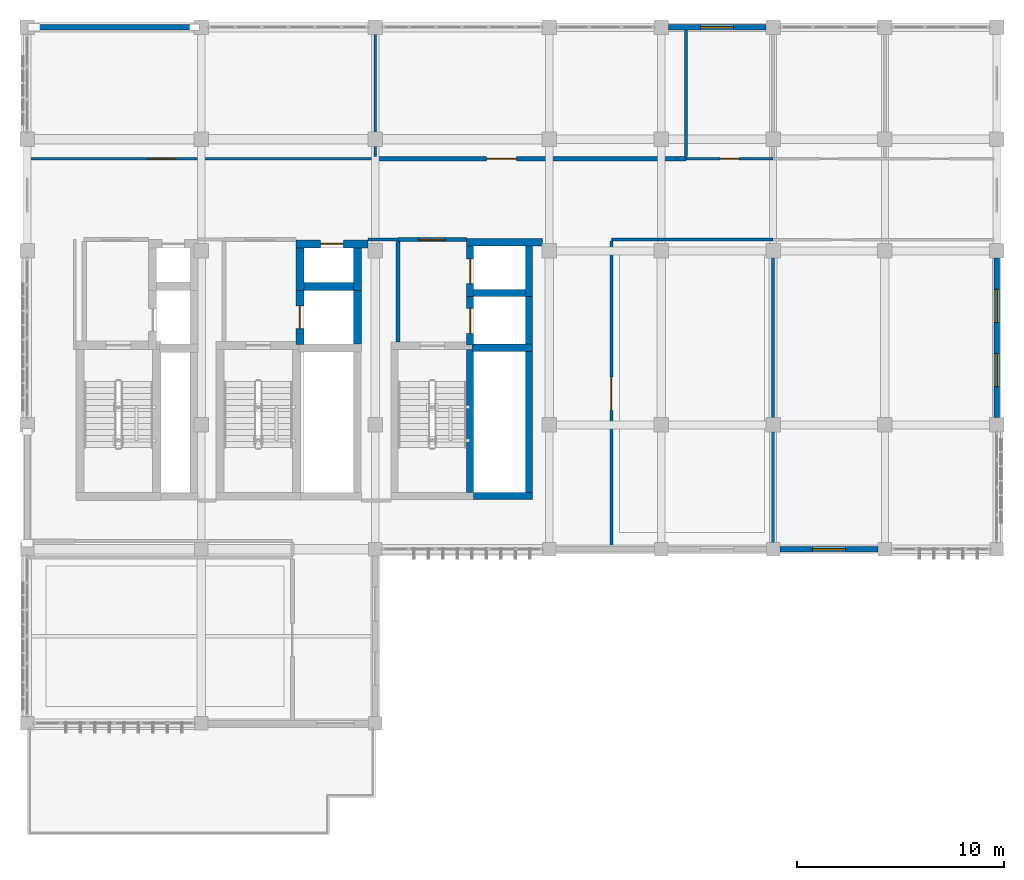
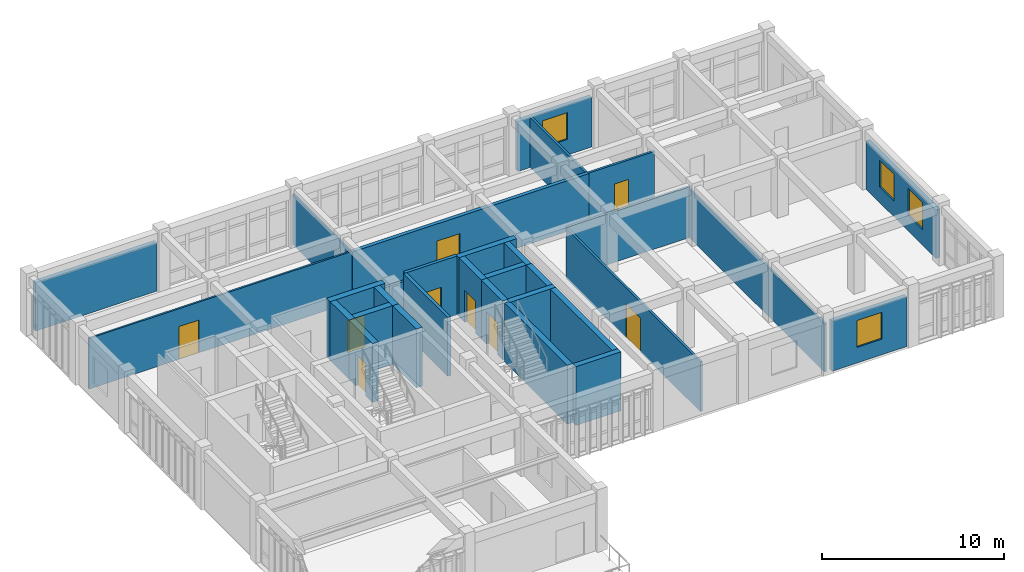
# One storey, part 20 of 23: 31 walls, 9 doors, 4 windows, 13 openings.
"""IFC4 building model written with IfcOpenShell, lengths in metres."""

from ifc_helpers import new_model, si_unit, direction, frame, frame_2d, origin, place, context, subcontext, project, spatial, rectangle, extrude, material, layer, layer_set, type_object, element, fill, save


model = new_model("IFC4")

# Units and contexts
model_context = context("Model", 3, precision=1e-05, world=origin(), true_north=direction((0.0, 1.0)))
body_context = subcontext(model_context, "Body", "Model", "MODEL_VIEW")
ifc_project = project(units=[si_unit("LENGTHUNIT", "METRE"), si_unit("AREAUNIT", "SQUARE_METRE"), si_unit("VOLUMEUNIT", "CUBIC_METRE"), si_unit("PLANEANGLEUNIT", "RADIAN"), si_unit("MASSUNIT", "GRAM", prefix="KILO")], contexts=[model_context])

# Site, building, storey
site_placement = place(None, origin())
site = spatial("IfcSite", under=ifc_project, at=site_placement, CompositionType="ELEMENT")
building_placement = place(site_placement, origin())
building = spatial("IfcBuilding", under=site, at=building_placement, Name="Krzemoval Escarpment Law Courts", CompositionType="ELEMENT")
storey_placement = place(building_placement, frame((0.0, 0.0, 25.199951171875)))
storey = spatial("IfcBuildingStorey", under=building, at=storey_placement, Name="L05", CompositionType="ELEMENT", Elevation=25.199951171875)

# Wall
ifc_material_1 = material(Name="Precast concrete C40/50", Category="concrete")
ifc_layer_1 = layer(ifc_material_1, 0.260009765625)
ifc_layer_set_1 = layer_set([ifc_layer_1], Name="Precast concrete C40/50")
wall_type_1 = type_object("IfcWallType", Name="WL-EXT-260", PredefinedType="SOLIDWALL", material=ifc_layer_set_1)
wall_1_placement = place(storey_placement, frame((126.35009765625, 118.800048828125, 0.0), z_axis=(0.0, 0.0, 1.0), x_axis=(1.0, 0.0, 0.0)))
element("IfcWall", 1, at=wall_1_placement, inside=storey, type_object=wall_type_1, Name="Exterior Wall EW-L05-0432", PredefinedType="SOLIDWALL", context=body_context, shape_type="SweptSolid", body=[
    extrude(rectangle(XDim=7.699951171875, YDim=0.260009765625, at=frame_2d((3.85009765625, 0.0))), origin(), (0.0, 0.0, 1.0), 3.25),
])

# Wall, opening, window
wall_2_placement = place(storey_placement, frame((156.949951171875, 118.800048828125, 0.0), z_axis=(0.0, 0.0, 1.0), x_axis=(1.0, 0.0, 0.0)))
wall_2 = element("IfcWall", 2, at=wall_2_placement, inside=storey, type_object=wall_type_1, Name="Exterior Wall EW-L05-0433", PredefinedType="SOLIDWALL", context=body_context, shape_type="SweptSolid", body=[
    extrude(rectangle(XDim=4.699951171875, YDim=0.260009765625, at=frame_2d((2.35009765625, 0.0))), origin(), (0.0, 0.0, 1.0), 3.35009765625),
])
opening_1_placement = place(wall_2_placement, frame((1.550048828125, 0.0, 1.050048828125)))
opening_1 = element("IfcOpeningElement", 3, at=opening_1_placement, cuts=wall_2, Name="Opening WN-L05-0517", PredefinedType="OPENING", context=body_context, shape_type="SweptSolid", body=[
    extrude(rectangle(XDim=1.60009765625, YDim=1.800048828125, at=frame_2d((0.800048828125, 0.89990234375))), frame((0.0, 0.145, 0.0), z_axis=(0.0, -1.0, 0.0), x_axis=(1.0, 0.0, 0.0)), (0.0, 0.0, 1.0), 0.29001),
])
ifc_material_2 = material(Name="Thermally Broken Aluminium Frame with Triple Low-E Acoustic Glass", Category="aluminium")
window_type = type_object("IfcWindowType", Name="WN-1600x1800", PartitioningType="SINGLE_PANEL", PredefinedType="WINDOW", material=ifc_material_2)
window_1_placement = place(opening_1_placement, origin())
window_1 = element("IfcWindow", 4, at=window_1_placement, inside=storey, type_object=window_type, Name="Facade Window WN-L05-0517", OverallHeight=1.800048828125, OverallWidth=1.60009765625, PartitioningType="SINGLE_PANEL", PredefinedType="WINDOW", context=body_context, shape_type="SweptSolid", body=[
    extrude(rectangle(XDim=1.60009765625, YDim=1.800048828125, at=frame_2d((0.800048828125, 0.89990234375))), frame((0.0, 0.030029296875, 0.0), z_axis=(0.0, -1.0, 0.0), x_axis=(1.0, 0.0, 0.0)), (0.0, 0.0, 1.0), 0.06005859375),
])
fill(opening_1, window_1)

# Wall, openings, windows
wall_3_placement = place(storey_placement, frame((172.800048828125, 107.64990234375, 0.0), z_axis=(0.0, 0.0, 1.0), x_axis=(0.0, -1.0, 0.0)))
wall_3 = element("IfcWall", 5, at=wall_3_placement, inside=storey, type_object=wall_type_1, Name="Exterior Wall EW-L05-0436", PredefinedType="SOLIDWALL", context=body_context, shape_type="SweptSolid", body=[
    extrude(rectangle(XDim=7.699951171875, YDim=0.260009765625, at=frame_2d((3.85009765625, 0.0))), origin(), (0.0, 0.0, 1.0), 3.25),
])
opening_2_placement = place(wall_3_placement, frame((1.5, 0.0, 1.050048828125)))
opening_2 = element("IfcOpeningElement", 6, at=opening_2_placement, cuts=wall_3, Name="Opening WN-L05-0520", PredefinedType="OPENING", context=body_context, shape_type="SweptSolid", body=[
    extrude(rectangle(XDim=1.60009765625, YDim=1.800048828125, at=frame_2d((0.800048828125, 0.89990234375))), frame((0.0, 0.145, 0.0), z_axis=(0.0, -1.0, 0.0), x_axis=(1.0, 0.0, 0.0)), (0.0, 0.0, 1.0), 0.29001),
])
opening_3_placement = place(wall_3_placement, frame((4.60009765625, 0.0, 1.050048828125)))
opening_3 = element("IfcOpeningElement", 7, at=opening_3_placement, cuts=wall_3, Name="Opening WN-L05-0521", PredefinedType="OPENING", context=body_context, shape_type="SweptSolid", body=[
    extrude(rectangle(XDim=1.60009765625, YDim=1.800048828125, at=frame_2d((0.800048828125, 0.89990234375))), frame((0.0, 0.145, 0.0), z_axis=(0.0, -1.0, 0.0), x_axis=(1.0, 0.0, 0.0)), (0.0, 0.0, 1.0), 0.29001),
])
window_2_placement = place(opening_2_placement, origin())
window_2 = element("IfcWindow", 8, at=window_2_placement, inside=storey, type_object=window_type, Name="Facade Window WN-L05-0520", OverallHeight=1.800048828125, OverallWidth=1.60009765625, PartitioningType="SINGLE_PANEL", PredefinedType="WINDOW", context=body_context, shape_type="SweptSolid", body=[
    extrude(rectangle(XDim=1.60009765625, YDim=1.800048828125, at=frame_2d((0.800048828125, 0.89990234375))), frame((0.0, 0.030029296875, 0.0), z_axis=(0.0, -1.0, 0.0), x_axis=(1.0, 0.0, 0.0)), (0.0, 0.0, 1.0), 0.06005859375),
])
fill(opening_2, window_2)
window_3_placement = place(opening_3_placement, origin())
window_3 = element("IfcWindow", 9, at=window_3_placement, inside=storey, type_object=window_type, Name="Facade Window WN-L05-0521", OverallHeight=1.800048828125, OverallWidth=1.60009765625, PartitioningType="SINGLE_PANEL", PredefinedType="WINDOW", context=body_context, shape_type="SweptSolid", body=[
    extrude(rectangle(XDim=1.60009765625, YDim=1.800048828125, at=frame_2d((0.800048828125, 0.89990234375))), frame((0.0, 0.030029296875, 0.0), z_axis=(0.0, -1.0, 0.0), x_axis=(1.0, 0.0, 0.0)), (0.0, 0.0, 1.0), 0.06005859375),
])
fill(opening_3, window_3)

# Wall, opening, window
wall_4_placement = place(storey_placement, frame((167.074951171875, 93.60009765625, 0.0), z_axis=(0.0, 0.0, 1.0), x_axis=(-1.0, 0.0, 0.0)))
wall_4 = element("IfcWall", 10, at=wall_4_placement, inside=storey, type_object=wall_type_1, Name="Exterior Wall EW-L05-0437", PredefinedType="SOLIDWALL", context=body_context, shape_type="SweptSolid", body=[
    extrude(rectangle(XDim=4.75, YDim=0.260009765625, at=frame_2d((2.375, 0.0))), origin(), (0.0, 0.0, 1.0), 3.35009765625),
])
opening_4_placement = place(wall_4_placement, frame((1.574951171875, 0.0, 1.050048828125)))
opening_4 = element("IfcOpeningElement", 11, at=opening_4_placement, cuts=wall_4, Name="Opening WN-L05-0522", PredefinedType="OPENING", context=body_context, shape_type="SweptSolid", body=[
    extrude(rectangle(XDim=1.60009765625, YDim=1.800048828125, at=frame_2d((0.800048828125, 0.89990234375))), frame((0.0, 0.145, 0.0), z_axis=(0.0, -1.0, 0.0), x_axis=(1.0, 0.0, 0.0)), (0.0, 0.0, 1.0), 0.29001),
])
window_4_placement = place(opening_4_placement, origin())
window_4 = element("IfcWindow", 12, at=window_4_placement, inside=storey, type_object=window_type, Name="Facade Window WN-L05-0522", OverallHeight=1.800048828125, OverallWidth=1.60009765625, PartitioningType="SINGLE_PANEL", PredefinedType="WINDOW", context=body_context, shape_type="SweptSolid", body=[
    extrude(rectangle(XDim=1.60009765625, YDim=1.800048828125, at=frame_2d((0.800048828125, 0.89990234375))), frame((0.0, 0.030029296875, 0.0), z_axis=(0.0, -1.0, 0.0), x_axis=(1.0, 0.0, 0.0)), (0.0, 0.0, 1.0), 0.06005859375),
])
fill(opening_4, window_4)

# Wall, opening, door
ifc_material_3 = material(Name="Light Internal Subdivision Partition", Category="gypsum")
ifc_layer_2 = layer(ifc_material_3, 0.114990234375)
ifc_layer_set_2 = layer_set([ifc_layer_2], Name="Light Internal Subdivision Partition")
wall_type_2 = type_object("IfcWallType", Name="WL-PRT-115", PredefinedType="PARTITIONING", material=ifc_layer_set_2)
wall_5_placement = place(storey_placement, frame((126.132080078125, 112.449951171875, 0.0), z_axis=(0.0, 0.0, 1.0), x_axis=(1.0, 0.0, 0.0)))
wall_5 = element("IfcWall", 13, at=wall_5_placement, inside=storey, type_object=wall_type_2, Name="Interior Partition PW-L05-0651", PredefinedType="PARTITIONING", context=body_context, shape_type="SweptSolid", body=[
    extrude(rectangle(XDim=16.66796875, YDim=0.114990234375, at=frame_2d((8.333984375, 0.0))), origin(), (0.0, 0.0, 1.0), 3.400146484375),
])
opening_5_placement = place(wall_5_placement, frame((5.708984375, 0.0, 0.0)))
opening_5 = element("IfcOpeningElement", 14, at=opening_5_placement, cuts=wall_5, Name="Opening D-L05-0222", PredefinedType="OPENING", context=body_context, shape_type="SweptSolid", body=[
    extrude(rectangle(XDim=1.25, YDim=2.199951171875, at=frame_2d((0.625, 1.10009765625))), frame((0.0, 0.0725, 0.0), z_axis=(0.0, -1.0, 0.0), x_axis=(1.0, 0.0, 0.0)), (0.0, 0.0, 1.0), 0.14499),
])
ifc_material_4 = material(Name="Engineered Solid-Core Oak Acoustic Timber", Category="wood")
door_type_1 = type_object("IfcDoorType", Name="DR-INT-1250x2200", OperationType="SINGLE_SWING_LEFT", PredefinedType="DOOR", material=ifc_material_4)
door_1_placement = place(opening_5_placement, origin())
door_1 = element("IfcDoor", 15, at=door_1_placement, inside=storey, type_object=door_type_1, Name="Room Door D-L05-0222", OperationType="SINGLE_SWING_LEFT", OverallHeight=2.199951171875, OverallWidth=1.25, PredefinedType="DOOR", context=body_context, shape_type="SweptSolid", body=[
    extrude(rectangle(XDim=1.25, YDim=2.199951171875, at=frame_2d((0.625, 1.10009765625))), frame((0.0, 0.02490234375, 0.0), z_axis=(0.0, -1.0, 0.0), x_axis=(1.0, 0.0, 0.0)), (0.0, 0.0, 1.0), 0.050048828125),
])
fill(opening_5, door_1)

# Walls
wall_6_placement = place(storey_placement, frame((142.800048828125, 112.56689453125, 0.0), z_axis=(0.0, 0.0, 1.0), x_axis=(0.0, 1.0, 0.0)))
element("IfcWall", 16, at=wall_6_placement, inside=storey, type_object=wall_type_2, Name="Interior Partition PW-L05-0661", PredefinedType="PARTITIONING", context=body_context, shape_type="SweptSolid", body=[
    extrude(rectangle(XDim=6.238037109375, YDim=0.114990234375, at=frame_2d((3.119140625, 0.0))), origin(), (0.0, 0.0, 1.0), 3.400146484375),
])
ifc_material_5 = material(Name="Standard Metal-Stud Gypsum Partition", Category="gypsum")
ifc_layer_3 = layer(ifc_material_5, 0.125)
ifc_layer_set_3 = layer_set([ifc_layer_3], Name="Standard Metal-Stud Gypsum Partition")
wall_type_3 = type_object("IfcWallType", Name="WL-PRT-125", PredefinedType="PARTITIONING", material=ifc_layer_set_3)
wall_7_placement = place(storey_placement, frame((162.0, 93.610107421875, 0.0), z_axis=(0.0, 0.0, 1.0), x_axis=(0.0, 1.0, 0.0)))
element("IfcWall", 17, at=wall_7_placement, inside=storey, type_object=wall_type_3, Name="Interior Partition PW-L05-0666", PredefinedType="PARTITIONING", context=body_context, shape_type="SweptSolid", body=[
    extrude(rectangle(XDim=14.867919921875, YDim=0.125, at=frame_2d((7.43408203125, 0.0))), origin(), (0.0, 0.0, 1.0), 3.25),
])
ifc_material_6 = material(Name="Sanitary Moisture-Resistant Partition", Category="gypsum")
ifc_layer_4 = layer(ifc_material_6, 0.139892578125)
ifc_layer_set_4 = layer_set([ifc_layer_4], Name="Sanitary Moisture-Resistant Partition")
wall_type_4 = type_object("IfcWallType", Name="WL-PRT-140", PredefinedType="PARTITIONING", material=ifc_layer_set_4)
wall_8_placement = place(storey_placement, frame((154.199951171875, 108.550048828125, 0.0), z_axis=(0.0, 0.0, 1.0), x_axis=(1.0, 0.0, 0.0)))
element("IfcWall", 18, at=wall_8_placement, inside=storey, type_object=wall_type_4, Name="Interior Partition PW-L05-0649", PredefinedType="PARTITIONING", context=body_context, shape_type="SweptSolid", body=[
    extrude(rectangle(XDim=7.800048828125, YDim=0.139892578125, at=frame_2d((3.89990234375, 0.0))), origin(), (0.0, 0.0, 1.0), 3.400146484375),
])

# Wall, opening, door
wall_9_placement = place(storey_placement, frame((157.800048828125, 112.449951171875, 0.0), z_axis=(0.0, 0.0, 1.0), x_axis=(1.0, 0.0, 0.0)))
wall_9 = element("IfcWall", 19, at=wall_9_placement, inside=storey, type_object=wall_type_4, Name="Interior Partition PW-L05-0653", PredefinedType="PARTITIONING", context=body_context, shape_type="SweptSolid", body=[
    extrude(rectangle(XDim=4.199951171875, YDim=0.139892578125, at=frame_2d((2.10009765625, 0.0))), origin(), (0.0, 0.0, 1.0), 3.400146484375),
])
opening_6_placement = place(wall_9_placement, frame((1.64990234375, 0.0, 0.0)))
opening_6 = element("IfcOpeningElement", 20, at=opening_6_placement, cuts=wall_9, Name="Opening D-L05-0224", PredefinedType="OPENING", context=body_context, shape_type="SweptSolid", body=[
    extrude(rectangle(XDim=0.89990234375, YDim=2.10009765625, at=frame_2d((0.449951171875, 1.050048828125))), frame((0.0, 0.08495, 0.0), z_axis=(0.0, -1.0, 0.0), x_axis=(1.0, 0.0, 0.0)), (0.0, 0.0, 1.0), 0.16989),
])
ifc_material_7 = material(Name="Engineered Solid-Core Oak Acoustic Timber", Category="wood")
door_type_2 = type_object("IfcDoorType", Name="DR-INT-900x2100", OperationType="SINGLE_SWING_LEFT", PredefinedType="DOOR", material=ifc_material_7)
door_2_placement = place(opening_6_placement, origin())
door_2 = element("IfcDoor", 21, at=door_2_placement, inside=storey, type_object=door_type_2, Name="Room Door D-L05-0224", OperationType="SINGLE_SWING_RIGHT", OverallHeight=2.10009765625, OverallWidth=0.89990234375, PredefinedType="DOOR", context=body_context, shape_type="SweptSolid", body=[
    extrude(rectangle(XDim=0.89990234375, YDim=2.10009765625, at=frame_2d((0.449951171875, 1.050048828125))), frame((0.0, 0.02490234375, 0.0), z_axis=(0.0, -1.0, 0.0), x_axis=(1.0, 0.0, 0.0)), (0.0, 0.0, 1.0), 0.050048828125),
])
fill(opening_6, door_2)

wall_10_placement = place(storey_placement, frame((154.199951171875, 93.73193359375, 0.0), z_axis=(0.0, 0.0, 1.0), x_axis=(0.0, 1.0, 0.0)))
wall_10 = element("IfcWall", 22, at=wall_10_placement, inside=storey, type_object=wall_type_4, Name="Interior Partition PW-L05-0663", PredefinedType="PARTITIONING", context=body_context, shape_type="SweptSolid", body=[
    extrude(rectangle(XDim=14.74609375, YDim=0.139892578125, at=frame_2d((7.373046875, 0.0))), origin(), (0.0, 0.0, 1.0), 3.35009765625),
])
opening_7_placement = place(wall_10_placement, frame((6.572998046875, 0.0, 0.0)))
opening_7 = element("IfcOpeningElement", 23, at=opening_7_placement, cuts=wall_10, Name="Opening D-L05-0227", PredefinedType="OPENING", context=body_context, shape_type="SweptSolid", body=[
    extrude(rectangle(XDim=1.60009765625, YDim=2.300048828125, at=frame_2d((0.800048828125, 1.14990234375))), frame((0.0, 0.08495, 0.0), z_axis=(0.0, -1.0, 0.0), x_axis=(1.0, 0.0, 0.0)), (0.0, 0.0, 1.0), 0.16989),
])
ifc_material_8 = material(Name="Engineered Solid-Core Oak Acoustic Timber", Category="wood")
door_type_3 = type_object("IfcDoorType", Name="DR-CRT-1600x2300", OperationType="SINGLE_SWING_LEFT", PredefinedType="DOOR", material=ifc_material_8)
door_3_placement = place(opening_7_placement, origin())
door_3 = element("IfcDoor", 24, at=door_3_placement, inside=storey, type_object=door_type_3, Name="Room Door D-L05-0227", OperationType="SINGLE_SWING_LEFT", OverallHeight=2.300048828125, OverallWidth=1.60009765625, PredefinedType="DOOR", context=body_context, shape_type="SweptSolid", body=[
    extrude(rectangle(XDim=1.60009765625, YDim=2.300048828125, at=frame_2d((0.800048828125, 1.14990234375))), frame((0.0, 0.02490234375, 0.0), z_axis=(0.0, -1.0, 0.0), x_axis=(1.0, 0.0, 0.0)), (0.0, 0.0, 1.0), 0.050048828125),
])
fill(opening_7, door_3)

# Walls
wall_11_placement = place(storey_placement, frame((157.800048828125, 112.56689453125, 0.0), z_axis=(0.0, 0.0, 1.0), x_axis=(0.0, 1.0, 0.0)))
element("IfcWall", 25, at=wall_11_placement, inside=storey, type_object=wall_type_4, Name="Interior Partition PW-L05-0664", PredefinedType="PARTITIONING", context=body_context, shape_type="SweptSolid", body=[
    extrude(rectangle(XDim=6.10107421875, YDim=0.139892578125, at=frame_2d((3.050537109375, 0.0))), origin(), (0.0, 0.0, 1.0), 3.35009765625),
])
ifc_material_9 = material(Name="Office Acoustic Partition Wall", Category="gypsum")
ifc_layer_5 = layer(ifc_material_9, 0.14990234375)
ifc_layer_set_5 = layer_set([ifc_layer_5], Name="Office Acoustic Partition Wall")
wall_type_5 = type_object("IfcWallType", Name="WL-PRT-150", PredefinedType="PARTITIONING", material=ifc_layer_set_5)
wall_12_placement = place(storey_placement, frame((142.455078125, 108.550048828125, 0.0), z_axis=(0.0, 0.0, 1.0), x_axis=(1.0, 0.0, 0.0)))
element("IfcWall", 26, at=wall_12_placement, inside=storey, type_object=wall_type_5, Name="Interior Partition PW-L05-0648", PredefinedType="PARTITIONING", context=body_context, shape_type="SweptSolid", body=[
    extrude(rectangle(XDim=1.44482421875, YDim=0.14990234375, at=frame_2d((0.722412109375, 0.0))), origin(), (0.0, 0.0, 1.0), 3.400146484375),
])

# Wall, opening, door
ifc_material_10 = material(Name="Fire-Rated Corridor Partition Wall", Category="gypsum")
ifc_layer_6 = layer(ifc_material_10, 0.199951171875)
ifc_layer_set_6 = layer_set([ifc_layer_6], Name="Fire-Rated Corridor Partition Wall")
wall_type_6 = type_object("IfcWallType", Name="WL-PRT-200", PredefinedType="PARTITIONING", material=ifc_layer_set_6)
wall_13_placement = place(storey_placement, frame((143.89990234375, 108.550048828125, 0.0), z_axis=(0.0, 0.0, 1.0), x_axis=(1.0, 0.0, 0.0)))
wall_13 = element("IfcWall", 27, at=wall_13_placement, inside=storey, type_object=wall_type_6, Name="Interior Partition PW-L05-0646", PredefinedType="PARTITIONING", context=body_context, shape_type="SweptSolid", body=[
    extrude(rectangle(XDim=3.300048828125, YDim=0.199951171875, at=frame_2d((1.64990234375, 0.0))), origin(), (0.0, 0.0, 1.0), 3.949951171875),
])
opening_8_placement = place(wall_13_placement, frame((1.0, 0.0, 0.0)))
opening_8 = element("IfcOpeningElement", 28, at=opening_8_placement, cuts=wall_13, Name="Opening D-L05-0220", PredefinedType="OPENING", context=body_context, shape_type="SweptSolid", body=[
    extrude(rectangle(XDim=1.300048828125, YDim=2.199951171875, at=frame_2d((0.64990234375, 1.10009765625))), frame((0.0, 0.11498, 0.0), z_axis=(0.0, -1.0, 0.0), x_axis=(1.0, 0.0, 0.0)), (0.0, 0.0, 1.0), 0.22995),
])
ifc_material_11 = material(Name="Galvanised Steel S355", Category="steel")
door_type_4 = type_object("IfcDoorType", Name="DR-STR-1300x2200", OperationType="SINGLE_SWING_LEFT", PredefinedType="DOOR", material=ifc_material_11)
door_4_placement = place(opening_8_placement, origin())
door_4 = element("IfcDoor", 29, at=door_4_placement, inside=storey, type_object=door_type_4, Name="Room Door D-L05-0220", OperationType="SINGLE_SWING_RIGHT", OverallHeight=2.199951171875, OverallWidth=1.300048828125, PredefinedType="DOOR", context=body_context, shape_type="SweptSolid", body=[
    extrude(rectangle(XDim=1.300048828125, YDim=2.199951171875, at=frame_2d((0.64990234375, 1.10009765625))), frame((0.0, 0.02490234375, 0.0), z_axis=(0.0, -1.0, 0.0), x_axis=(1.0, 0.0, 0.0)), (0.0, 0.0, 1.0), 0.050048828125),
])
fill(opening_8, door_4)

# Wall
wall_14_placement = place(storey_placement, frame((143.89990234375, 103.60205078125, 0.0), z_axis=(0.0, 0.0, 1.0), x_axis=(0.0, 1.0, 0.0)))
element("IfcWall", 30, at=wall_14_placement, inside=storey, type_object=wall_type_6, Name="Interior Partition PW-L05-0662", PredefinedType="PARTITIONING", context=body_context, shape_type="SweptSolid", body=[
    extrude(rectangle(XDim=4.845947265625, YDim=0.199951171875, at=frame_2d((2.4228515625, 0.0))), origin(), (0.0, 0.0, 1.0), 3.949951171875),
])

# Wall, opening, door
ifc_material_12 = material(Name="Acoustic Calcium-Silicate Block Wall", Category="masonry")
ifc_layer_7 = layer(ifc_material_12, 0.22998046875)
ifc_layer_set_7 = layer_set([ifc_layer_7], Name="Acoustic Calcium-Silicate Block Wall")
wall_type_7 = type_object("IfcWallType", Name="WL-PRT-230", PredefinedType="SOLIDWALL", material=ifc_layer_set_7)
wall_15_placement = place(storey_placement, frame((142.800048828125, 112.449951171875, 0.0), z_axis=(0.0, 0.0, 1.0), x_axis=(1.0, 0.0, 0.0)))
wall_15 = element("IfcWall", 31, at=wall_15_placement, inside=storey, type_object=wall_type_7, Name="Interior Partition PW-L05-0652", PredefinedType="SOLIDWALL", context=body_context, shape_type="SweptSolid", body=[
    extrude(rectangle(XDim=15.0, YDim=0.22998046875, at=frame_2d((7.5, 0.0))), origin(), (0.0, 0.0, 1.0), 3.400146484375),
])
opening_9_placement = place(wall_15_placement, frame((5.375, 0.0, 0.0)))
opening_9 = element("IfcOpeningElement", 32, at=opening_9_placement, cuts=wall_15, Name="Opening D-L05-0223", PredefinedType="OPENING", context=body_context, shape_type="SweptSolid", body=[
    extrude(rectangle(XDim=1.449951171875, YDim=2.25, at=frame_2d((0.72509765625, 1.125))), frame((0.0, 0.12999, 0.0), z_axis=(0.0, -1.0, 0.0), x_axis=(1.0, 0.0, 0.0)), (0.0, 0.0, 1.0), 0.25998),
])
ifc_material_13 = material(Name="Engineered Solid-Core Oak Acoustic Timber", Category="wood")
door_type_5 = type_object("IfcDoorType", Name="DR-INT-1450x2250", OperationType="SINGLE_SWING_LEFT", PredefinedType="DOOR", material=ifc_material_13)
door_5_placement = place(opening_9_placement, origin())
door_5 = element("IfcDoor", 33, at=door_5_placement, inside=storey, type_object=door_type_5, Name="Room Door D-L05-0223", OperationType="SINGLE_SWING_LEFT", OverallHeight=2.25, OverallWidth=1.449951171875, PredefinedType="DOOR", context=body_context, shape_type="SweptSolid", body=[
    extrude(rectangle(XDim=1.449951171875, YDim=2.25, at=frame_2d((0.72509765625, 1.125))), frame((0.0, 0.02490234375, 0.0), z_axis=(0.0, -1.0, 0.0), x_axis=(1.0, 0.0, 0.0)), (0.0, 0.0, 1.0), 0.050048828125),
])
fill(opening_9, door_5)

# Walls
ifc_material_14 = material(Name="Concrete C40/50", Category="concrete")
ifc_layer_8 = layer(ifc_material_14, 0.35009765625)
ifc_layer_set_8 = layer_set([ifc_layer_8], Name="Concrete C40/50")
wall_type_8 = type_object("IfcWallType", Name="WL-SHW-350", PredefinedType="SHEAR", material=ifc_layer_set_8)
wall_16_placement = place(storey_placement, frame((147.375, 96.35205078125, 0.0), z_axis=(0.0, 0.0, 1.0), x_axis=(0.0, 1.0, 0.0)))
element("IfcWall", 34, at=wall_16_placement, inside=storey, type_object=wall_type_8, Name="Core Stair Shear Wall SW-L05-0382", PredefinedType="SHEAR", context=body_context, shape_type="SweptSolid", body=[
    extrude(rectangle(XDim=6.89599609375, YDim=0.35009765625, at=frame_2d((3.447998046875, 0.0))), origin(), (0.0, 0.0, 1.0), 3.949951171875),
])
wall_17_placement = place(storey_placement, frame((147.468017578125, 103.324951171875, 0.0), z_axis=(0.0, 0.0, 1.0), x_axis=(1.0, 0.0, 0.0)))
element("IfcWall", 35, at=wall_17_placement, inside=storey, type_object=wall_type_8, Name="Lift Shaft Shear Wall SW-L05-0383", PredefinedType="SHEAR", context=body_context, shape_type="SweptSolid", body=[
    extrude(rectangle(XDim=2.931884765625, YDim=0.35009765625, at=frame_2d((1.4658203125, 0.0))), origin(), (0.0, 0.0, 1.0), 3.949951171875),
])
wall_18_placement = place(storey_placement, frame((147.199951171875, 105.97509765625, 0.0), z_axis=(0.0, 0.0, 1.0), x_axis=(1.0, 0.0, 0.0)))
element("IfcWall", 36, at=wall_18_placement, inside=storey, type_object=wall_type_8, Name="Lift Shaft Shear Wall SW-L05-0384", PredefinedType="SHEAR", context=body_context, shape_type="SweptSolid", body=[
    extrude(rectangle(XDim=3.199951171875, YDim=0.35009765625, at=frame_2d((1.60009765625, 0.0))), origin(), (0.0, 0.0, 1.0), 3.949951171875),
])

# Wall, opening, door
wall_19_placement = place(storey_placement, frame((147.375, 103.458984375, 0.0), z_axis=(0.0, 0.0, 1.0), x_axis=(0.0, 1.0, 0.0)))
wall_19 = element("IfcWall", 37, at=wall_19_placement, inside=storey, type_object=wall_type_8, Name="Lift Shaft Shear Wall SW-L05-0385", PredefinedType="SHEAR", context=body_context, shape_type="SweptSolid", body=[
    extrude(rectangle(XDim=2.339111328125, YDim=0.35009765625, at=frame_2d((1.16943359375, 0.0))), origin(), (0.0, 0.0, 1.0), 3.949951171875),
])
opening_10_placement = place(wall_19_placement, frame((0.569091796875, 0.0, 0.0)))
opening_10 = element("IfcOpeningElement", 38, at=opening_10_placement, cuts=wall_19, Name="Opening LD-PL1-L05", PredefinedType="OPENING", context=body_context, shape_type="SweptSolid", body=[
    extrude(rectangle(XDim=1.199951171875, YDim=2.14990234375, at=frame_2d((0.60009765625, 1.074951171875))), frame((0.0, 0.19005, 0.0), z_axis=(0.0, -1.0, 0.0), x_axis=(1.0, 0.0, 0.0)), (0.0, 0.0, 1.0), 0.3801),
])
ifc_material_15 = material(Name="Engineered Solid-Core Oak Acoustic Timber", Category="wood")
door_type_6 = type_object("IfcDoorType", Name="DR-LFT-1200x2150", OperationType="SINGLE_SWING_LEFT", PredefinedType="DOOR", material=ifc_material_15)
door_6_placement = place(opening_10_placement, origin())
door_6 = element("IfcDoor", 39, at=door_6_placement, inside=storey, type_object=door_type_6, Name="Lift Landing Door LD-PL1-L05", OperationType="DOUBLE_DOOR_SLIDING", OverallHeight=2.14990234375, OverallWidth=1.199951171875, PredefinedType="DOOR", context=body_context, shape_type="SweptSolid", body=[
    extrude(rectangle(XDim=1.199951171875, YDim=2.14990234375, at=frame_2d((0.60009765625, 1.074951171875))), frame((0.0, 0.02490234375, 0.0), z_axis=(0.0, -1.0, 0.0), x_axis=(1.0, 0.0, 0.0)), (0.0, 0.0, 1.0), 0.050048828125),
])
fill(opening_10, door_6)

# Walls
wall_20_placement = place(storey_placement, frame((150.22509765625, 103.501953125, 0.0), z_axis=(0.0, 0.0, 1.0), x_axis=(0.0, 1.0, 0.0)))
element("IfcWall", 40, at=wall_20_placement, inside=storey, type_object=wall_type_8, Name="Lift Shaft Shear Wall SW-L05-0386", PredefinedType="SHEAR", context=body_context, shape_type="SweptSolid", body=[
    extrude(rectangle(XDim=2.296142578125, YDim=0.35009765625, at=frame_2d((1.14794921875, 0.0))), origin(), (0.0, 0.0, 1.0), 3.949951171875),
])
wall_21_placement = place(storey_placement, frame((147.199951171875, 108.425048828125, 0.0), z_axis=(0.0, 0.0, 1.0), x_axis=(1.0, 0.0, 0.0)))
element("IfcWall", 41, at=wall_21_placement, inside=storey, type_object=wall_type_8, Name="Lift Shaft Shear Wall SW-L05-0387", PredefinedType="SHEAR", context=body_context, shape_type="SweptSolid", body=[
    extrude(rectangle(XDim=3.6611328125, YDim=0.35009765625, at=frame_2d((1.83056640625, 0.0))), origin(), (0.0, 0.0, 1.0), 3.949951171875),
])

# Wall, opening, door
wall_22_placement = place(storey_placement, frame((147.375, 105.79296875, 0.0), z_axis=(0.0, 0.0, 1.0), x_axis=(0.0, 1.0, 0.0)))
wall_22 = element("IfcWall", 42, at=wall_22_placement, inside=storey, type_object=wall_type_8, Name="Lift Shaft Shear Wall SW-L05-0388", PredefinedType="SHEAR", context=body_context, shape_type="SweptSolid", body=[
    extrude(rectangle(XDim=2.455078125, YDim=0.35009765625, at=frame_2d((1.2275390625, 0.0))), origin(), (0.0, 0.0, 1.0), 3.949951171875),
])
opening_11_placement = place(wall_22_placement, frame((0.626953125, 0.0, 0.0)))
opening_11 = element("IfcOpeningElement", 43, at=opening_11_placement, cuts=wall_22, Name="Opening LD-PL2-L05", PredefinedType="OPENING", context=body_context, shape_type="SweptSolid", body=[
    extrude(rectangle(XDim=1.199951171875, YDim=2.14990234375, at=frame_2d((0.60009765625, 1.074951171875))), frame((0.0, 0.19005, 0.0), z_axis=(0.0, -1.0, 0.0), x_axis=(1.0, 0.0, 0.0)), (0.0, 0.0, 1.0), 0.3801),
])
door_7_placement = place(opening_11_placement, origin())
door_7 = element("IfcDoor", 44, at=door_7_placement, inside=storey, type_object=door_type_6, Name="Lift Landing Door LD-PL2-L05", OperationType="DOUBLE_DOOR_SLIDING", OverallHeight=2.14990234375, OverallWidth=1.199951171875, PredefinedType="DOOR", context=body_context, shape_type="SweptSolid", body=[
    extrude(rectangle(XDim=1.199951171875, YDim=2.14990234375, at=frame_2d((0.60009765625, 1.074951171875))), frame((0.0, 0.02490234375, 0.0), z_axis=(0.0, -1.0, 0.0), x_axis=(1.0, 0.0, 0.0)), (0.0, 0.0, 1.0), 0.050048828125),
])
fill(opening_11, door_7)

# Walls
wall_23_placement = place(storey_placement, frame((150.22509765625, 105.79296875, 0.0), z_axis=(0.0, 0.0, 1.0), x_axis=(0.0, 1.0, 0.0)))
element("IfcWall", 45, at=wall_23_placement, inside=storey, type_object=wall_type_8, Name="Lift Shaft Shear Wall SW-L05-0389", PredefinedType="SHEAR", context=body_context, shape_type="SweptSolid", body=[
    extrude(rectangle(XDim=2.455078125, YDim=0.35009765625, at=frame_2d((1.2275390625, 0.0))), origin(), (0.0, 0.0, 1.0), 3.949951171875),
])
wall_24_placement = place(storey_placement, frame((147.550048828125, 96.175048828125, 0.0), z_axis=(0.0, 0.0, 1.0), x_axis=(1.0, 0.0, 0.0)))
element("IfcWall", 46, at=wall_24_placement, inside=storey, type_object=wall_type_8, Name="Riser Shaft Wall SW-L05-0390", PredefinedType="SHEAR", context=body_context, shape_type="SweptSolid", body=[
    extrude(rectangle(XDim=2.849853515625, YDim=0.35009765625, at=frame_2d((1.4248046875, 0.0))), origin(), (0.0, 0.0, 1.0), 3.949951171875),
])
wall_25_placement = place(storey_placement, frame((150.22509765625, 96.35205078125, 0.0), z_axis=(0.0, 0.0, 1.0), x_axis=(0.0, 1.0, 0.0)))
element("IfcWall", 47, at=wall_25_placement, inside=storey, type_object=wall_type_8, Name="Riser Shaft Wall SW-L05-0391", PredefinedType="SHEAR", context=body_context, shape_type="SweptSolid", body=[
    extrude(rectangle(XDim=7.155029296875, YDim=0.35009765625, at=frame_2d((3.57763671875, 0.0))), origin(), (0.0, 0.0, 1.0), 3.949951171875),
])
ifc_material_16 = material(Name="Concrete C40/50", Category="concrete")
ifc_layer_9 = layer(ifc_material_16, 0.3798828125)
ifc_layer_set_9 = layer_set([ifc_layer_9], Name="Concrete C40/50")
wall_type_9 = type_object("IfcWallType", Name="WL-SHW-380", PredefinedType="SHEAR", material=ifc_layer_set_9)
wall_26_placement = place(storey_placement, frame((138.969970703125, 106.2900390625, 0.0), z_axis=(0.0, 0.0, 1.0), x_axis=(1.0, 0.0, 0.0)))
element("IfcWall", 48, at=wall_26_placement, inside=storey, type_object=wall_type_9, Name="Lift Shaft Shear Wall SW-L05-0234", PredefinedType="SHEAR", context=body_context, shape_type="SweptSolid", body=[
    extrude(rectangle(XDim=3.159912109375, YDim=0.3798828125, at=frame_2d((1.580078125, 0.0))), origin(), (0.0, 0.0, 1.0), 3.949951171875),
])

# Wall, opening, door
wall_27_placement = place(storey_placement, frame((139.159912109375, 103.4951171875, 0.0), z_axis=(0.0, 0.0, 1.0), x_axis=(0.0, 1.0, 0.0)))
wall_27 = element("IfcWall", 49, at=wall_27_placement, inside=storey, type_object=wall_type_9, Name="Lift Shaft Shear Wall SW-L05-0235", PredefinedType="SHEAR", context=body_context, shape_type="SweptSolid", body=[
    extrude(rectangle(XDim=2.602783203125, YDim=0.3798828125, at=frame_2d((1.30126953125, 0.0))), origin(), (0.0, 0.0, 1.0), 3.949951171875),
])
opening_12_placement = place(wall_27_placement, frame((0.7509765625, 0.0, 0.0)))
opening_12 = element("IfcOpeningElement", 50, at=opening_12_placement, cuts=wall_27, Name="Opening LD-FL2-L05", PredefinedType="OPENING", context=body_context, shape_type="SweptSolid", body=[
    extrude(rectangle(XDim=1.10009765625, YDim=2.14990234375, at=frame_2d((0.550048828125, 1.074951171875))), frame((0.0, 0.20494, 0.0), z_axis=(0.0, -1.0, 0.0), x_axis=(1.0, 0.0, 0.0)), (0.0, 0.0, 1.0), 0.40988),
])
ifc_material_17 = material(Name="Stainless Steel Grade 304", Category="steel")
door_type_7 = type_object("IfcDoorType", Name="DR-LFT-1100x2150", OperationType="SINGLE_SWING_LEFT", PredefinedType="DOOR", material=ifc_material_17)
door_8_placement = place(opening_12_placement, origin())
door_8 = element("IfcDoor", 51, at=door_8_placement, inside=storey, type_object=door_type_7, Name="Lift Landing Door LD-FL2-L05", OperationType="DOUBLE_DOOR_SLIDING", OverallHeight=2.14990234375, OverallWidth=1.10009765625, PredefinedType="DOOR", context=body_context, shape_type="SweptSolid", body=[
    extrude(rectangle(XDim=1.10009765625, YDim=2.14990234375, at=frame_2d((0.550048828125, 1.074951171875))), frame((0.0, 0.02490234375, 0.0), z_axis=(0.0, -1.0, 0.0), x_axis=(1.0, 0.0, 0.0)), (0.0, 0.0, 1.0), 0.050048828125),
])
fill(opening_12, door_8)

# Wall
wall_28_placement = place(storey_placement, frame((141.93994140625, 103.501953125, 0.0), z_axis=(0.0, 0.0, 1.0), x_axis=(0.0, 1.0, 0.0)))
element("IfcWall", 52, at=wall_28_placement, inside=storey, type_object=wall_type_9, Name="Lift Shaft Shear Wall SW-L05-0236", PredefinedType="SHEAR", context=body_context, shape_type="SweptSolid", body=[
    extrude(rectangle(XDim=2.595947265625, YDim=0.3798828125, at=frame_2d((1.2978515625, 0.0))), origin(), (0.0, 0.0, 1.0), 3.949951171875),
])

# Wall, opening, door
wall_29_placement = place(storey_placement, frame((138.969970703125, 108.340087890625, 0.0), z_axis=(0.0, 0.0, 1.0), x_axis=(1.0, 0.0, 0.0)))
wall_29 = element("IfcWall", 53, at=wall_29_placement, inside=storey, type_object=wall_type_9, Name="Lift Shaft Shear Wall SW-L05-0237", PredefinedType="SHEAR", context=body_context, shape_type="SweptSolid", body=[
    extrude(rectangle(XDim=3.485107421875, YDim=0.3798828125, at=frame_2d((1.74267578125, 0.0))), origin(), (0.0, 0.0, 1.0), 3.949951171875),
])
opening_13_placement = place(wall_29_placement, frame((1.193115234375, 0.0, 0.0)))
opening_13 = element("IfcOpeningElement", 54, at=opening_13_placement, cuts=wall_29, Name="Opening LD-JL2-L05", PredefinedType="OPENING", context=body_context, shape_type="SweptSolid", body=[
    extrude(rectangle(XDim=1.10009765625, YDim=2.14990234375, at=frame_2d((0.550048828125, 1.074951171875))), frame((0.0, 0.20494, 0.0), z_axis=(0.0, -1.0, 0.0), x_axis=(1.0, 0.0, 0.0)), (0.0, 0.0, 1.0), 0.40988),
])
door_9_placement = place(opening_13_placement, origin())
door_9 = element("IfcDoor", 55, at=door_9_placement, inside=storey, type_object=door_type_7, Name="Lift Landing Door LD-JL2-L05", OperationType="DOUBLE_DOOR_SLIDING", OverallHeight=2.14990234375, OverallWidth=1.10009765625, PredefinedType="DOOR", context=body_context, shape_type="SweptSolid", body=[
    extrude(rectangle(XDim=1.10009765625, YDim=2.14990234375, at=frame_2d((0.550048828125, 1.074951171875))), frame((0.0, 0.02490234375, 0.0), z_axis=(0.0, -1.0, 0.0), x_axis=(1.0, 0.0, 0.0)), (0.0, 0.0, 1.0), 0.050048828125),
])
fill(opening_13, door_9)

# Walls
for number, where, z_axis, x_axis, name in (
    (56, (139.159912109375, 106.093017578125, 0.0), (0.0, 0.0, 1.0), (0.0, 1.0, 0.0), "Lift Shaft Shear Wall SW-L05-0238"),
    (57, (141.93994140625, 106.093017578125, 0.0), (0.0, 0.0, 1.0), (0.0, 1.0, 0.0), "Lift Shaft Shear Wall SW-L05-0239"),
):
    element("IfcWall", number, at=place(storey_placement, frame(where, z_axis=z_axis, x_axis=x_axis)), inside=storey, type_object=wall_type_9, Name=name, PredefinedType="SHEAR", context=body_context, shape_type="SweptSolid", body=[
        extrude(rectangle(XDim=2.054931640625, YDim=0.3798828125, at=frame_2d((1.02734375, 0.0))), origin(), (0.0, 0.0, 1.0), 3.949951171875),
    ])

save(model, "model.ifc")
